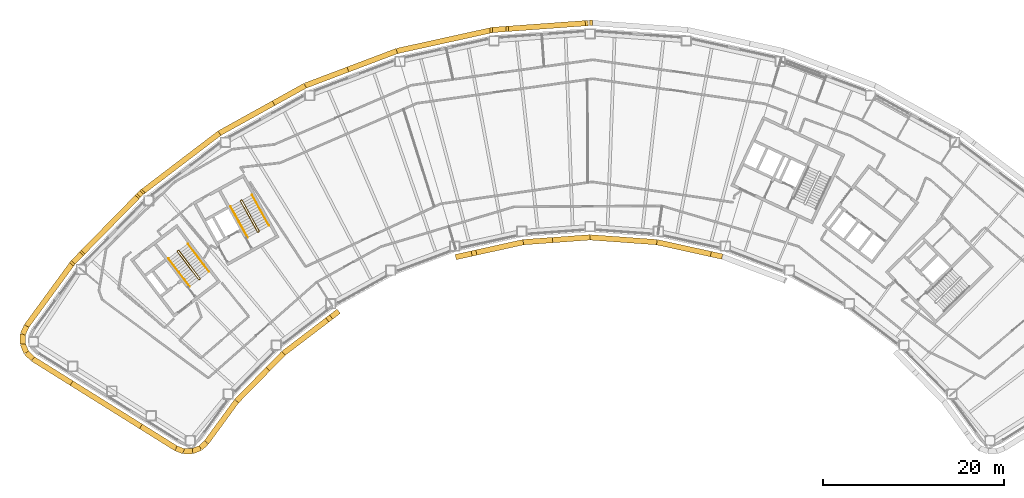
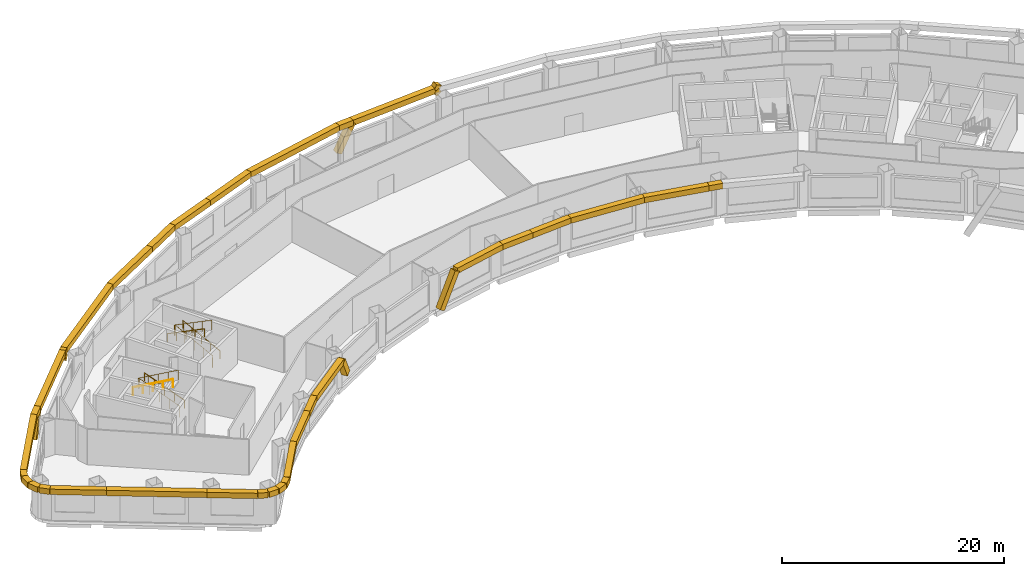
# One storey, part 11 of 12: 40 coverings, 6 railings.
"""IFC4 building model written with IfcOpenShell, lengths in metres."""

from ifc_helpers import new_model, si_unit, direction, frame, origin, origin_2d, place, context, subcontext, project, spatial, rectangle, circle, extrude, material, material_profile, profile_set, type_object, element, save


model = new_model("IFC4")

# Units and contexts
model_context = context("Model", 3, precision=1e-05, world=origin(), true_north=direction((0.0, 1.0)))
body_context = subcontext(model_context, "Body", "Model", "MODEL_VIEW")
ifc_project = project(units=[si_unit("LENGTHUNIT", "METRE"), si_unit("AREAUNIT", "SQUARE_METRE"), si_unit("VOLUMEUNIT", "CUBIC_METRE"), si_unit("PLANEANGLEUNIT", "RADIAN"), si_unit("MASSUNIT", "GRAM", prefix="KILO")], contexts=[model_context])

# Site, building, storey
site_placement = place(None, origin())
site = spatial("IfcSite", under=ifc_project, at=site_placement, CompositionType="ELEMENT")
building_placement = place(site_placement, origin())
building = spatial("IfcBuilding", under=site, at=building_placement, Name="Tuul Gate Civic Tower", CompositionType="ELEMENT")
storey_placement = place(building_placement, frame((0.0, 0.0, 103.5)))
storey = spatial("IfcBuildingStorey", under=building, at=storey_placement, Name="Level 23", CompositionType="ELEMENT", Elevation=103.5)

# Railings
ifc_material_1 = material(Name="Painted steel", Category="steel")
railing_type_1 = type_object("IfcRailingType", Name="Stair guard", PredefinedType="GUARDRAIL", material=ifc_material_1)
railing_1_placement = place(storey_placement, frame((-33.382080078125, -13.515380859375, 0.0)))
element("IfcRailing", 1, at=railing_1_placement, inside=storey, type_object=railing_type_1, Name="Level 23 ST-1 stair guard 1", PredefinedType="GUARDRAIL", context=body_context, shape_type="SweptSolid", body=[
    extrude(circle(Radius=0.02392578125, at=origin_2d()), frame((0.0, 0.0, 1.076171875), z_axis=(-0.795879841968, -0.605454603706, 0.0), x_axis=(0.605454603706, -0.795879841968, 0.0)), (0.0, 0.0, 1.0), 0.10009765625),
    extrude(circle(Radius=0.02392578125, at=origin_2d()), frame((-0.07958984375, -0.060546875, 1.076171875), z_axis=(0.408991890351, 0.599481263939, 0.688002796371), x_axis=(-0.826063974707, 0.563576356576, 0.0)), (0.0, 0.0, 1.0), 0.2177734375),
    extrude(circle(Radius=0.02392578125, at=origin_2d()), frame((0.009521484375, 0.070068359375, 1.22607421875), z_axis=(-0.541810893183, 0.711627203922, 0.44724454012), x_axis=(-0.795637165283, -0.60577347352, 0.0)), (0.0, 0.0, 1.0), 4.3603515625),
    extrude(circle(Radius=0.02392578125, at=origin_2d()), frame((-2.35302734375, 3.173095703125, 3.17626953125), z_axis=(-0.990893089246, 0.134650977284, 0.0), x_axis=(-0.134650977284, -0.990893089246, 0.0)), (0.0, 0.0, 1.0), 0.07080078125),
    extrude(circle(Radius=0.02392578125, at=origin_2d()), frame((-2.423095703125, 3.1826171875, 3.17626953125), z_axis=(-0.793802879778, -0.60817512943, 0.0), x_axis=(0.60817512943, -0.793802879778, 0.0)), (0.0, 0.0, 1.0), 0.099853515625),
    extrude(circle(Radius=0.02392578125, at=origin_2d()), frame((-2.50244140625, 3.121826171875, 3.17626953125), z_axis=(-0.057447065493, -0.422751481959, 0.904423031091), x_axis=(0.990893089246, -0.134650977284, 0.0)), (0.0, 0.0, 1.0), 0.165771484375),
    extrude(circle(Radius=0.02392578125, at=origin_2d()), frame((-2.511962890625, 3.0517578125, 3.326171875), z_axis=(0.541806494602, -0.71163897684, 0.447231136047), x_axis=(0.795644365679, 0.605764016233, 0.0)), (0.0, 0.0, 1.0), 4.360107421875),
    extrude(circle(Radius=0.02099609375, at=origin_2d()), origin(), (0.0, 0.0, 1.0), 1.052001953125),
    extrude(circle(Radius=0.02099609375, at=origin_2d()), frame((-0.07958984375, -0.060546875, 0.0)), (0.0, 0.0, 1.0), 1.052001953125),
    extrude(circle(Radius=0.02099609375, at=origin_2d()), frame((0.009521484375, 0.070068359375, 0.14990234375)), (0.0, 0.0, 1.0), 1.052001953125),
    extrude(circle(Radius=0.02099609375, at=origin_2d()), frame((-0.5810546875, 0.845703125, 0.637451171875)), (0.0, 0.0, 1.0), 1.052001953125),
    extrude(circle(Radius=0.02099609375, at=origin_2d()), frame((-1.171875, 1.62158203125, 1.125)), (0.0, 0.0, 1.0), 1.052001953125),
    extrude(circle(Radius=0.02099609375, at=origin_2d()), frame((-1.762451171875, 2.3974609375, 1.612548828125)), (0.0, 0.0, 1.0), 1.052001953125),
    extrude(circle(Radius=0.02099609375, at=origin_2d()), frame((-2.35302734375, 3.173095703125, 2.10009765625)), (0.0, 0.0, 1.0), 1.052001953125),
    extrude(circle(Radius=0.02099609375, at=origin_2d()), frame((-2.423095703125, 3.1826171875, 2.10009765625)), (0.0, 0.0, 1.0), 1.052001953125),
    extrude(circle(Radius=0.02099609375, at=origin_2d()), frame((-2.50244140625, 3.121826171875, 2.10009765625)), (0.0, 0.0, 1.0), 1.052001953125),
    extrude(circle(Radius=0.02099609375, at=origin_2d()), frame((-2.511962890625, 3.0517578125, 2.25)), (0.0, 0.0, 1.0), 1.052001953125),
    extrude(circle(Radius=0.02099609375, at=origin_2d()), frame((-1.92138671875, 2.276123046875, 2.737548828125)), (0.0, 0.0, 1.0), 1.052001953125),
    extrude(circle(Radius=0.02099609375, at=origin_2d()), frame((-1.330810546875, 1.50048828125, 3.22509765625)), (0.0, 0.0, 1.0), 1.052001953125),
    extrude(circle(Radius=0.02099609375, at=origin_2d()), frame((-0.740234375, 0.724609375, 3.71240234375)), (0.0, 0.0, 1.0), 1.052001953125),
    extrude(circle(Radius=0.02099609375, at=origin_2d()), frame((-0.149658203125, -0.051025390625, 4.199951171875)), (0.0, 0.0, 1.0), 1.052001953125),
])
railing_2_placement = place(storey_placement, frame((-26.857666015625, -8.247314453125, 0.0)))
element("IfcRailing", 2, at=railing_2_placement, inside=storey, type_object=railing_type_1, Name="Level 23 ST-2 stair guard 1", PredefinedType="GUARDRAIL", context=body_context, shape_type="SweptSolid", body=[
    extrude(circle(Radius=0.02392578125, at=origin_2d()), frame((0.0, 0.0, 1.076171875), z_axis=(-0.874616555828, -0.48481530532, 0.0), x_axis=(0.48481530532, -0.874616555828, 0.0)), (0.0, 0.0, 1.0), 0.10009765625),
    extrude(circle(Radius=0.02392578125, at=origin_2d()), frame((-0.087646484375, -0.048583984375, 1.076171875), z_axis=(0.49081399482, 0.534516610797, 0.688036056665), x_axis=(-0.736576986774, 0.676353711126, 0.0)), (0.0, 0.0, 1.0), 0.2177734375),
    extrude(circle(Radius=0.02392578125, at=origin_2d()), frame((0.019287109375, 0.06787109375, 1.22607421875), z_axis=(-0.433539057192, 0.782307594871, 0.447256875739), x_axis=(-0.874667644053, -0.484723129681, 0.0)), (0.0, 0.0, 1.0), 4.3603515625),
    extrude(circle(Radius=0.02392578125, at=origin_2d()), frame((-1.87109375, 3.47900390625, 3.17626953125), z_axis=(-0.961263487578, 0.275631107549, 0.0), x_axis=(-0.275631107549, -0.961263487578, 0.0)), (0.0, 0.0, 1.0), 0.07080078125),
    extrude(circle(Radius=0.02392578125, at=origin_2d()), frame((-1.939208984375, 3.49853515625, 3.17626953125), z_axis=(-0.874042088414, -0.485850211157, 0.0), x_axis=(0.485850211157, -0.874042088414, 0.0)), (0.0, 0.0, 1.0), 0.10009765625),
    extrude(circle(Radius=0.02392578125, at=origin_2d()), frame((-2.026611328125, 3.449951171875, 3.17626953125), z_axis=(-0.117866478395, -0.409586012422, 0.90462522168), x_axis=(0.961000426733, -0.276546885391, 0.0)), (0.0, 0.0, 1.0), 0.165771484375),
    extrude(circle(Radius=0.02392578125, at=origin_2d()), frame((-2.046142578125, 3.382080078125, 3.326171875), z_axis=(0.433595379963, -0.782308193291, 0.447201226726), x_axis=(0.874641102302, 0.484771020343, 0.0)), (0.0, 0.0, 1.0), 4.3603515625),
    extrude(circle(Radius=0.02099609375, at=origin_2d()), origin(), (0.0, 0.0, 1.0), 1.052001953125),
    extrude(circle(Radius=0.02099609375, at=origin_2d()), frame((-0.087646484375, -0.048583984375, 0.0)), (0.0, 0.0, 1.0), 1.052001953125),
    extrude(circle(Radius=0.02099609375, at=origin_2d()), frame((0.019287109375, 0.06787109375, 0.14990234375)), (0.0, 0.0, 1.0), 1.052001953125),
    extrude(circle(Radius=0.02099609375, at=origin_2d()), frame((-0.453369140625, 0.920654296875, 0.637451171875)), (0.0, 0.0, 1.0), 1.052001953125),
    extrude(circle(Radius=0.02099609375, at=origin_2d()), frame((-0.92578125, 1.7734375, 1.125)), (0.0, 0.0, 1.0), 1.052001953125),
    extrude(circle(Radius=0.02099609375, at=origin_2d()), frame((-1.3984375, 2.626220703125, 1.612548828125)), (0.0, 0.0, 1.0), 1.052001953125),
    extrude(circle(Radius=0.02099609375, at=origin_2d()), frame((-1.87109375, 3.47900390625, 2.10009765625)), (0.0, 0.0, 1.0), 1.052001953125),
    extrude(circle(Radius=0.02099609375, at=origin_2d()), frame((-1.939208984375, 3.49853515625, 2.10009765625)), (0.0, 0.0, 1.0), 1.052001953125),
    extrude(circle(Radius=0.02099609375, at=origin_2d()), frame((-2.026611328125, 3.449951171875, 2.10009765625)), (0.0, 0.0, 1.0), 1.052001953125),
    extrude(circle(Radius=0.02099609375, at=origin_2d()), frame((-2.046142578125, 3.382080078125, 2.25)), (0.0, 0.0, 1.0), 1.052001953125),
    extrude(circle(Radius=0.02099609375, at=origin_2d()), frame((-1.573486328125, 2.529296875, 2.737548828125)), (0.0, 0.0, 1.0), 1.052001953125),
    extrude(circle(Radius=0.02099609375, at=origin_2d()), frame((-1.100830078125, 1.676513671875, 3.22509765625)), (0.0, 0.0, 1.0), 1.052001953125),
    extrude(circle(Radius=0.02099609375, at=origin_2d()), frame((-0.628173828125, 0.82373046875, 3.71240234375)), (0.0, 0.0, 1.0), 1.052001953125),
    extrude(circle(Radius=0.02099609375, at=origin_2d()), frame((-0.155517578125, -0.029052734375, 4.199951171875)), (0.0, 0.0, 1.0), 1.052001953125),
])
ifc_material_2 = material(Name="Painted steel", Category="steel")
railing_type_2 = type_object("IfcRailingType", Name="Stair handrail", PredefinedType="HANDRAIL", material=ifc_material_2)
railing_3_placement = place(storey_placement, frame((-32.3779296875, -12.688232421875, 0.14990234375)))
element("IfcRailing", 3, at=railing_3_placement, inside=storey, type_object=railing_type_2, Name="Level 23 ST-1 stair handrail 1", PredefinedType="HANDRAIL", context=body_context, shape_type="SweptSolid", body=[
    extrude(circle(Radius=0.02392578125, at=origin_2d()), frame((0.0, 0.0, 0.8759765625), z_axis=(-0.541810893183, 0.711627203922, 0.44724454012), x_axis=(-0.795637165283, -0.60577347352, 0.0)), (0.0, 0.0, 1.0), 4.3603515625),
    extrude(circle(Radius=0.02099609375, at=origin_2d()), origin(), (0.0, 0.0, 1.0), 0.851806640625),
    extrude(circle(Radius=0.02099609375, at=origin_2d()), frame((-0.590576171875, 0.77587890625, 0.487548828125)), (0.0, 0.0, 1.0), 0.851806640625),
    extrude(circle(Radius=0.02099609375, at=origin_2d()), frame((-1.18115234375, 1.551513671875, 0.97509765625)), (0.0, 0.0, 1.0), 0.851806640625),
    extrude(circle(Radius=0.02099609375, at=origin_2d()), frame((-1.77197265625, 2.3271484375, 1.462646484375)), (0.0, 0.0, 1.0), 0.851806640625),
    extrude(circle(Radius=0.02099609375, at=origin_2d()), frame((-2.362548828125, 3.10302734375, 1.9501953125)), (0.0, 0.0, 1.0), 0.851806640625),
])
railing_4_placement = place(storey_placement, frame((-36.888671875, -11.220703125, 2.25)))
element("IfcRailing", 4, at=railing_4_placement, inside=storey, type_object=railing_type_2, Name="Level 23 ST-1 stair handrail 2", PredefinedType="HANDRAIL", context=body_context, shape_type="SweptSolid", body=[
    extrude(circle(Radius=0.02392578125, at=origin_2d()), frame((0.0, 0.0, 0.8759765625), z_axis=(0.541824460341, -0.711645023348, 0.447199748346), x_axis=(0.795637165283, 0.60577347352, 0.0)), (0.0, 0.0, 1.0), 4.3603515625),
    extrude(circle(Radius=0.02099609375, at=origin_2d()), origin(), (0.0, 0.0, 1.0), 0.851806640625),
    extrude(circle(Radius=0.02099609375, at=origin_2d()), frame((0.590576171875, -0.77587890625, 0.487548828125)), (0.0, 0.0, 1.0), 0.851806640625),
    extrude(circle(Radius=0.02099609375, at=origin_2d()), frame((1.18115234375, -1.551513671875, 0.97509765625)), (0.0, 0.0, 1.0), 0.851806640625),
    extrude(circle(Radius=0.02099609375, at=origin_2d()), frame((1.77197265625, -2.3271484375, 1.46240234375)), (0.0, 0.0, 1.0), 0.851806640625),
    extrude(circle(Radius=0.02099609375, at=origin_2d()), frame((2.362548828125, -3.10302734375, 1.949951171875)), (0.0, 0.0, 1.0), 0.851806640625),
])
railing_5_placement = place(storey_placement, frame((-25.744873046875, -7.573486328125, 0.14990234375)))
element("IfcRailing", 5, at=railing_5_placement, inside=storey, type_object=railing_type_2, Name="Level 23 ST-2 stair handrail 1", PredefinedType="HANDRAIL", context=body_context, shape_type="SweptSolid", body=[
    extrude(circle(Radius=0.02392578125, at=origin_2d()), frame((0.0, 0.0, 0.8759765625), z_axis=(-0.433584522764, 0.782288604346, 0.447246018574), x_axis=(-0.874641102302, -0.484771020343, 0.0)), (0.0, 0.0, 1.0), 4.3603515625),
    extrude(circle(Radius=0.02099609375, at=origin_2d()), origin(), (0.0, 0.0, 1.0), 0.851806640625),
    extrude(circle(Radius=0.02099609375, at=origin_2d()), frame((-0.47265625, 0.852783203125, 0.487548828125)), (0.0, 0.0, 1.0), 0.851806640625),
    extrude(circle(Radius=0.02099609375, at=origin_2d()), frame((-0.9453125, 1.70556640625, 0.97509765625)), (0.0, 0.0, 1.0), 0.851806640625),
    extrude(circle(Radius=0.02099609375, at=origin_2d()), frame((-1.41796875, 2.558349609375, 1.462646484375)), (0.0, 0.0, 1.0), 0.851806640625),
    extrude(circle(Radius=0.02099609375, at=origin_2d()), frame((-1.890625, 3.4111328125, 1.9501953125)), (0.0, 0.0, 1.0), 0.851806640625),
])
railing_6_placement = place(storey_placement, frame((-29.9970703125, -5.47119140625, 2.25)))
element("IfcRailing", 6, at=railing_6_placement, inside=storey, type_object=railing_type_2, Name="Level 23 ST-2 stair handrail 2", PredefinedType="HANDRAIL", context=body_context, shape_type="SweptSolid", body=[
    extrude(circle(Radius=0.02392578125, at=origin_2d()), frame((0.0, 0.0, 0.8759765625), z_axis=(0.433595379963, -0.782308193291, 0.447201226726), x_axis=(0.874641102302, 0.484771020343, 0.0)), (0.0, 0.0, 1.0), 4.3603515625),
    extrude(circle(Radius=0.02099609375, at=origin_2d()), origin(), (0.0, 0.0, 1.0), 0.851806640625),
    extrude(circle(Radius=0.02099609375, at=origin_2d()), frame((0.47265625, -0.852783203125, 0.487548828125)), (0.0, 0.0, 1.0), 0.851806640625),
    extrude(circle(Radius=0.02099609375, at=origin_2d()), frame((0.9453125, -1.70556640625, 0.97509765625)), (0.0, 0.0, 1.0), 0.851806640625),
    extrude(circle(Radius=0.02099609375, at=origin_2d()), frame((1.41796875, -2.558349609375, 1.46240234375)), (0.0, 0.0, 1.0), 0.851806640625),
    extrude(circle(Radius=0.02099609375, at=origin_2d()), frame((1.890625, -3.4111328125, 1.949951171875)), (0.0, 0.0, 1.0), 0.851806640625),
])

# Coverings
ifc_material_3 = material(Name="Terracotta baguette", Category="masonry")
ifc_material_profile = material_profile(ifc_material_3, rectangle(XDim=0.60009765625, YDim=0.60009765625, at=origin_2d()), Name="Terracotta baguette screen frame")
ifc_profile_set = profile_set([ifc_material_profile], Name="Terracotta baguette")
covering_type = type_object("IfcCoveringType", Name="Terracotta baguette screen frame", PredefinedType="CLADDING", material=ifc_profile_set)
covering_1_placement = place(storey_placement, frame((9.8291015625, 14.889892578125, 4.349609375), z_axis=(-0.47426206361, -0.033967999116, -0.879728179642), x_axis=(0.071439843969, -0.997444910105, 0.0)))
element("IfcCovering", 7, at=covering_1_placement, inside=storey, type_object=covering_type, Name="Baguette 70", PredefinedType="CLADDING", context=body_context, shape_type="SweptSolid", body=[
    extrude(rectangle(XDim=0.60009765625, YDim=0.60009765625, at=origin_2d()), origin(), (0.0, 0.0, 1.0), 0.56787109375),
])
covering_2_placement = place(storey_placement, frame((9.559814453125, 14.87060546875, 3.85009765625), z_axis=(0.474082726777, 0.033955154502, -0.879825332469), x_axis=(-0.071439843969, 0.997444910105, 0.0)))
element("IfcCovering", 8, at=covering_2_placement, inside=storey, type_object=covering_type, Name="Baguette 73", PredefinedType="CLADDING", context=body_context, shape_type="SweptSolid", body=[
    extrude(rectangle(XDim=0.60009765625, YDim=0.60009765625, at=origin_2d()), origin(), (0.0, 0.0, 1.0), 0.568115234375),
])
covering_3_placement = place(storey_placement, frame((9.559814453125, 14.87060546875, 3.85009765625), z_axis=(-0.997380380277, -0.072335171524, 0.0), x_axis=(0.072335171524, -0.997380380277, 0.0)))
element("IfcCovering", 9, at=covering_3_placement, inside=storey, type_object=covering_type, Name="Baguette 75", PredefinedType="CLADDING", context=body_context, shape_type="SweptSolid", body=[
    extrude(rectangle(XDim=0.60009765625, YDim=0.60009765625, at=origin_2d()), origin(), (0.0, 0.0, 1.0), 9.072265625),
])
covering_4_placement = place(storey_placement, frame((0.51123046875, 14.21435546875, 3.85009765625), z_axis=(-0.473915008994, -0.034427424036, -0.879897333059), x_axis=(0.07245379487, -0.997371770008, 0.0)))
element("IfcCovering", 10, at=covering_4_placement, inside=storey, type_object=covering_type, Name="Baguette 79", PredefinedType="CLADDING", context=body_context, shape_type="SweptSolid", body=[
    extrude(rectangle(XDim=0.60009765625, YDim=0.60009765625, at=origin_2d()), origin(), (0.0, 0.0, 1.0), 3.177001953125),
])
covering_5_placement = place(storey_placement, frame((-17.001708984375, 9.72412109375, 3.85009765625), z_axis=(-0.9353892354, -0.353619821697, 0.0), x_axis=(0.353619821697, -0.9353892354, 0.0)))
element("IfcCovering", 11, at=covering_5_placement, inside=storey, type_object=covering_type, Name="Baguette 96", PredefinedType="CLADDING", context=body_context, shape_type="SweptSolid", body=[
    extrude(rectangle(XDim=0.60009765625, YDim=0.60009765625, at=origin_2d()), origin(), (0.0, 0.0, 1.0), 5.06689453125),
])
covering_6_placement = place(storey_placement, frame((-21.7412109375, 7.932373046875, 3.85009765625), z_axis=(-0.874588189659, -0.484866474928, 0.0), x_axis=(0.484866474928, -0.874588189659, 0.0)))
element("IfcCovering", 12, at=covering_6_placement, inside=storey, type_object=covering_type, Name="Baguette 97", PredefinedType="CLADDING", context=body_context, shape_type="SweptSolid", body=[
    extrude(rectangle(XDim=0.60009765625, YDim=0.60009765625, at=origin_2d()), origin(), (0.0, 0.0, 1.0), 4.005615234375),
])
covering_7_placement = place(storey_placement, frame((-40.178466796875, -4.222412109375, 3.85009765625), z_axis=(0.332612538117, 0.339337208405, -0.879897243136), x_axis=(-0.71414753099, 0.699995217113, 0.0)))
element("IfcCovering", 13, at=covering_7_placement, inside=storey, type_object=covering_type, Name="Baguette 115", PredefinedType="CLADDING", context=body_context, shape_type="SweptSolid", body=[
    extrude(rectangle(XDim=0.60009765625, YDim=0.60009765625, at=origin_2d()), origin(), (0.0, 0.0, 1.0), 0.94384765625),
])
covering_8_placement = place(storey_placement, frame((-40.178466796875, -4.222412109375, 3.85009765625), z_axis=(-0.700007644137, -0.714135350021, 0.0), x_axis=(0.714135350021, -0.700007644137, 0.0)))
element("IfcCovering", 14, at=covering_8_placement, inside=storey, type_object=covering_type, Name="Baguette 117", PredefinedType="CLADDING", context=body_context, shape_type="SweptSolid", body=[
    extrude(rectangle(XDim=0.60009765625, YDim=0.60009765625, at=origin_2d()), origin(), (0.0, 0.0, 1.0), 9.072509765625),
])
covering_9_placement = place(storey_placement, frame((-46.529296875, -10.701416015625, 3.85009765625), z_axis=(-0.332584778484, -0.339384676969, -0.879889428371), x_axis=(0.714225678888, -0.699915480338, 0.0)))
element("IfcCovering", 15, at=covering_9_placement, inside=storey, type_object=covering_type, Name="Baguette 121", PredefinedType="CLADDING", context=body_context, shape_type="SweptSolid", body=[
    extrude(rectangle(XDim=0.60009765625, YDim=0.60009765625, at=origin_2d()), origin(), (0.0, 0.0, 1.0), 2.800537109375),
])
covering_10_placement = place(storey_placement, frame((-47.6162109375, -25.023681640625, 3.85009765625), z_axis=(0.848051326016, -0.529914095342, 0.0), x_axis=(0.529914095342, 0.848051326016, 0.0)))
element("IfcCovering", 16, at=covering_10_placement, inside=storey, type_object=covering_type, Name="Baguette 150", PredefinedType="CLADDING", context=body_context, shape_type="SweptSolid", body=[
    extrude(rectangle(XDim=0.60009765625, YDim=0.60009765625, at=origin_2d()), origin(), (0.0, 0.0, 1.0), 9.052978515625),
])
covering_11_placement = place(storey_placement, frame((-25.87841796875, -23.490478515625, 3.85009765625), z_axis=(0.700086167254, 0.714058371857, 0.0), x_axis=(-0.714058371857, 0.700086167254, 0.0)))
element("IfcCovering", 17, at=covering_11_placement, inside=storey, type_object=covering_type, Name="Baguette 181", PredefinedType="CLADDING", context=body_context, shape_type="SweptSolid", body=[
    extrude(rectangle(XDim=0.60009765625, YDim=0.60009765625, at=origin_2d()), origin(), (0.0, 0.0, 1.0), 2.481201171875),
])
covering_12_placement = place(storey_placement, frame((-24.141357421875, -21.71875, 3.85009765625), z_axis=(0.795563656238, 0.605870009881, 0.0), x_axis=(-0.605870009881, 0.795563656238, 0.0)))
element("IfcCovering", 18, at=covering_12_placement, inside=storey, type_object=covering_type, Name="Baguette 182", PredefinedType="CLADDING", context=body_context, shape_type="SweptSolid", body=[
    extrude(rectangle(XDim=0.60009765625, YDim=0.60009765625, at=origin_2d()), origin(), (0.0, 0.0, 1.0), 6.370849609375),
])
covering_13_placement = place(storey_placement, frame((-19.072998046875, -17.85888671875, 3.85009765625), z_axis=(0.370809924554, 0.282345892143, -0.884749002284), x_axis=(-0.605804319563, 0.795613679118, 0.0)))
element("IfcCovering", 19, at=covering_13_placement, inside=storey, type_object=covering_type, Name="Baguette 186", PredefinedType="CLADDING", context=body_context, shape_type="SweptSolid", body=[
    extrude(rectangle(XDim=0.60009765625, YDim=0.60009765625, at=origin_2d()), origin(), (0.0, 0.0, 1.0), 2.246337890625),
])
covering_14_placement = place(storey_placement, frame((-3.035400390625, -10.61279296875, 3.85009765625), z_axis=(-0.45520337994, -0.100315999561, -0.884718363731), x_axis=(0.215212210255, -0.976567306721, 0.0)))
element("IfcCovering", 20, at=covering_14_placement, inside=storey, type_object=covering_type, Name="Baguette 204", PredefinedType="CLADDING", context=body_context, shape_type="SweptSolid", body=[
    extrude(rectangle(XDim=0.60009765625, YDim=0.60009765625, at=origin_2d()), origin(), (0.0, 0.0, 1.0), 3.906005859375),
])
covering_15_placement = place(storey_placement, frame((-3.035400390625, -10.61279296875, 3.85009765625), z_axis=(0.976565315313, 0.21522124646, 0.0), x_axis=(-0.21522124646, 0.976565315313, 0.0)))
element("IfcCovering", 21, at=covering_15_placement, inside=storey, type_object=covering_type, Name="Baguette 206", PredefinedType="CLADDING", context=body_context, shape_type="SweptSolid", body=[
    extrude(rectangle(XDim=0.60009765625, YDim=0.60009765625, at=origin_2d()), origin(), (0.0, 0.0, 1.0), 5.596923828125),
])
covering_16_placement = place(storey_placement, frame((2.430419921875, -9.408203125, 3.85009765625), z_axis=(0.997393564609, 0.072153151538, 0.0), x_axis=(-0.072153151538, 0.997393564609, 0.0)))
element("IfcCovering", 22, at=covering_16_placement, inside=storey, type_object=covering_type, Name="Baguette 207", PredefinedType="CLADDING", context=body_context, shape_type="SweptSolid", body=[
    extrude(rectangle(XDim=0.60009765625, YDim=0.60009765625, at=origin_2d()), origin(), (0.0, 0.0, 1.0), 3.255126953125),
])
covering_17_placement = place(storey_placement, frame((23.20703125, -10.72607421875, 3.85009765625), z_axis=(0.976580321069, -0.215153146619, 0.0), x_axis=(0.215153146619, 0.976580321069, 0.0)))
element("IfcCovering", 23, at=covering_17_placement, inside=storey, type_object=covering_type, Name="Baguette 229", PredefinedType="CLADDING", context=body_context, shape_type="SweptSolid", body=[
    extrude(rectangle(XDim=0.60009765625, YDim=0.60009765625, at=origin_2d()), origin(), (0.0, 0.0, 1.0), 1.294677734375),
])
covering_18_placement = place(storey_placement, frame((0.51123046875, 14.21435546875, 3.85009765625), z_axis=(-0.997371770008, -0.07245379487, 0.0), x_axis=(0.07245379487, -0.997371770008, 0.0)))
element("IfcCovering", 24, at=covering_18_placement, inside=storey, type_object=covering_type, Name="Baguette 315", PredefinedType="CLADDING", context=body_context, shape_type="SweptSolid", body=[
    extrude(rectangle(XDim=0.60009765625, YDim=0.60009765625, at=origin_2d()), origin(), (0.0, 0.0, 1.0), 1.509521484375),
])
covering_19_placement = place(storey_placement, frame((-0.994384765625, 14.10498046875, 3.85009765625), z_axis=(-0.976565170403, -0.215221903986, 0.0), x_axis=(0.215221903986, -0.976565170403, 0.0)))
element("IfcCovering", 25, at=covering_19_placement, inside=storey, type_object=covering_type, Name="Baguette 316", PredefinedType="CLADDING", context=body_context, shape_type="SweptSolid", body=[
    extrude(rectangle(XDim=0.60009765625, YDim=0.60009765625, at=origin_2d()), origin(), (0.0, 0.0, 1.0), 10.850341796875),
])
covering_20_placement = place(storey_placement, frame((-11.59033203125, 11.769775390625, 3.85009765625), z_axis=(-0.93539456207, -0.353605731359, 0.0), x_axis=(0.353605731359, -0.93539456207, 0.0)))
element("IfcCovering", 26, at=covering_20_placement, inside=storey, type_object=covering_type, Name="Baguette 317", PredefinedType="CLADDING", context=body_context, shape_type="SweptSolid", body=[
    extrude(rectangle(XDim=0.60009765625, YDim=0.60009765625, at=origin_2d()), origin(), (0.0, 0.0, 1.0), 5.78515625),
])
covering_21_placement = place(storey_placement, frame((-25.244384765625, 5.990234375, 3.85009765625), z_axis=(-0.874616176684, -0.484815989302, 0.0), x_axis=(0.484815989302, -0.874616176684, 0.0)))
element("IfcCovering", 27, at=covering_21_placement, inside=storey, type_object=covering_type, Name="Baguette 323", PredefinedType="CLADDING", context=body_context, shape_type="SweptSolid", body=[
    extrude(rectangle(XDim=0.60009765625, YDim=0.60009765625, at=origin_2d()), origin(), (0.0, 0.0, 1.0), 6.844970703125),
])
covering_22_placement = place(storey_placement, frame((-31.231201171875, 2.671630859375, 3.85009765625), z_axis=(-0.79561038643, -0.605808643884, 0.0), x_axis=(0.605808643884, -0.79561038643, 0.0)))
element("IfcCovering", 28, at=covering_22_placement, inside=storey, type_object=covering_type, Name="Baguette 324", PredefinedType="CLADDING", context=body_context, shape_type="SweptSolid", body=[
    extrude(rectangle(XDim=0.60009765625, YDim=0.60009765625, at=origin_2d()), origin(), (0.0, 0.0, 1.0), 10.85107421875),
])
covering_23_placement = place(storey_placement, frame((-39.864501953125, -3.902099609375, 3.85009765625), z_axis=(-0.699995217113, -0.71414753099, 0.0), x_axis=(0.71414753099, -0.699995217113, 0.0)))
element("IfcCovering", 29, at=covering_23_placement, inside=storey, type_object=covering_type, Name="Baguette 325", PredefinedType="CLADDING", context=body_context, shape_type="SweptSolid", body=[
    extrude(rectangle(XDim=0.60009765625, YDim=0.60009765625, at=origin_2d()), origin(), (0.0, 0.0, 1.0), 0.448486328125),
])
covering_24_placement = place(storey_placement, frame((-46.529296875, -10.701416015625, 3.85009765625), z_axis=(-0.699915480338, -0.714225678888, 0.0), x_axis=(0.714225678888, -0.699915480338, 0.0)))
element("IfcCovering", 30, at=covering_24_placement, inside=storey, type_object=covering_type, Name="Baguette 326", PredefinedType="CLADDING", context=body_context, shape_type="SweptSolid", body=[
    extrude(rectangle(XDim=0.60009765625, YDim=0.60009765625, at=origin_2d()), origin(), (0.0, 0.0, 1.0), 1.330810546875),
])
covering_25_placement = place(storey_placement, frame((-47.460693359375, -11.65185546875, 3.85009765625), z_axis=(-0.589877128824, -0.80749301724, 0.0), x_axis=(0.80749301724, -0.589877128824, 0.0)))
element("IfcCovering", 31, at=covering_25_placement, inside=storey, type_object=covering_type, Name="Baguette 327", PredefinedType="CLADDING", context=body_context, shape_type="SweptSolid", body=[
    extrude(rectangle(XDim=0.60009765625, YDim=0.60009765625, at=origin_2d()), origin(), (0.0, 0.0, 1.0), 8.735107421875),
])
covering_26_placement = place(storey_placement, frame((-52.61328125, -18.705322265625, 3.85009765625), z_axis=(-0.411904289645, -0.911227115582, 0.0), x_axis=(0.911227115582, -0.411904289645, 0.0)))
element("IfcCovering", 32, at=covering_26_placement, inside=storey, type_object=covering_type, Name="Baguette 328", PredefinedType="CLADDING", context=body_context, shape_type="SweptSolid", body=[
    extrude(rectangle(XDim=0.60009765625, YDim=0.60009765625, at=origin_2d()), origin(), (0.0, 0.0, 1.0), 0.988525390625),
])
covering_27_placement = place(storey_placement, frame((-53.0205078125, -19.606201171875, 3.85009765625), z_axis=(-0.014657151856, -0.99989257818, 0.0), x_axis=(0.99989257818, -0.014657151856, 0.0)))
element("IfcCovering", 33, at=covering_27_placement, inside=storey, type_object=covering_type, Name="Baguette 329", PredefinedType="CLADDING", context=body_context, shape_type="SweptSolid", body=[
    extrude(rectangle(XDim=0.60009765625, YDim=0.60009765625, at=origin_2d()), origin(), (0.0, 0.0, 1.0), 1.06591796875),
])
covering_28_placement = place(storey_placement, frame((-53.0361328125, -20.672119140625, 3.85009765625), z_axis=(0.385590096332, -0.922670188968, 0.0), x_axis=(0.922670188968, 0.385590096332, 0.0)))
element("IfcCovering", 34, at=covering_28_placement, inside=storey, type_object=covering_type, Name="Baguette 330", PredefinedType="CLADDING", context=body_context, shape_type="SweptSolid", body=[
    extrude(rectangle(XDim=0.60009765625, YDim=0.60009765625, at=origin_2d()), origin(), (0.0, 0.0, 1.0), 1.06689453125),
])
covering_29_placement = place(storey_placement, frame((-52.624755859375, -21.656494140625, 3.85009765625), z_axis=(0.722255502574, -0.691626336255, 0.0), x_axis=(0.691626336255, 0.722255502574, 0.0)))
element("IfcCovering", 35, at=covering_29_placement, inside=storey, type_object=covering_type, Name="Baguette 331", PredefinedType="CLADDING", context=body_context, shape_type="SweptSolid", body=[
    extrude(rectangle(XDim=0.60009765625, YDim=0.60009765625, at=origin_2d()), origin(), (0.0, 0.0, 1.0), 0.98828125),
])
covering_30_placement = place(storey_placement, frame((-51.910888671875, -22.340087890625, 3.85009765625), z_axis=(0.848049759371, -0.529916602524, 0.0), x_axis=(0.529916602524, 0.848049759371, 0.0)))
element("IfcCovering", 36, at=covering_30_placement, inside=storey, type_object=covering_type, Name="Baguette 332", PredefinedType="CLADDING", context=body_context, shape_type="SweptSolid", body=[
    extrude(rectangle(XDim=0.60009765625, YDim=0.60009765625, at=origin_2d()), origin(), (0.0, 0.0, 1.0), 5.064208984375),
])
covering_31_placement = place(storey_placement, frame((-39.938720703125, -29.821044921875, 3.85009765625), z_axis=(0.84806120414, -0.529898286497, 0.0), x_axis=(0.529898286497, 0.84806120414, 0.0)))
element("IfcCovering", 37, at=covering_31_placement, inside=storey, type_object=covering_type, Name="Baguette 333", PredefinedType="CLADDING", context=body_context, shape_type="SweptSolid", body=[
    extrude(rectangle(XDim=0.60009765625, YDim=0.60009765625, at=origin_2d()), origin(), (0.0, 0.0, 1.0), 4.578857421875),
])
covering_32_placement = place(storey_placement, frame((-36.0556640625, -32.247314453125, 3.85009765625), z_axis=(0.931801188997, -0.362969067807, 0.0), x_axis=(0.362969067807, 0.931801188997, 0.0)))
element("IfcCovering", 38, at=covering_32_placement, inside=storey, type_object=covering_type, Name="Baguette 334", PredefinedType="CLADDING", context=body_context, shape_type="SweptSolid", body=[
    extrude(rectangle(XDim=0.60009765625, YDim=0.60009765625, at=origin_2d()), origin(), (0.0, 0.0, 1.0), 0.9013671875),
])
covering_33_placement = place(storey_placement, frame((-35.2158203125, -32.574462890625, 3.85009765625), z_axis=(0.99999546609, 0.003011278693, 0.0), x_axis=(-0.003011278693, 0.99999546609, 0.0)))
element("IfcCovering", 39, at=covering_33_placement, inside=storey, type_object=covering_type, Name="Baguette 335", PredefinedType="CLADDING", context=body_context, shape_type="SweptSolid", body=[
    extrude(rectangle(XDim=0.60009765625, YDim=0.60009765625, at=origin_2d()), origin(), (0.0, 0.0, 1.0), 0.972900390625),
])
covering_34_placement = place(storey_placement, frame((-34.242919921875, -32.571533203125, 3.85009765625), z_axis=(0.929715491451, 0.368278569775, 0.0), x_axis=(-0.368278569775, 0.929715491451, 0.0)))
element("IfcCovering", 40, at=covering_34_placement, inside=storey, type_object=covering_type, Name="Baguette 336", PredefinedType="CLADDING", context=body_context, shape_type="SweptSolid", body=[
    extrude(rectangle(XDim=0.60009765625, YDim=0.60009765625, at=origin_2d()), origin(), (0.0, 0.0, 1.0), 0.974609375),
])
covering_35_placement = place(storey_placement, frame((-33.3369140625, -32.212646484375, 3.85009765625), z_axis=(0.729233015542, 0.684265452177, 0.0), x_axis=(-0.684265452177, 0.729233015542, 0.0)))
element("IfcCovering", 41, at=covering_35_placement, inside=storey, type_object=covering_type, Name="Baguette 337", PredefinedType="CLADDING", context=body_context, shape_type="SweptSolid", body=[
    extrude(rectangle(XDim=0.60009765625, YDim=0.60009765625, at=origin_2d()), origin(), (0.0, 0.0, 1.0), 0.9013671875),
])
covering_36_placement = place(storey_placement, frame((-32.6796875, -31.595947265625, 3.85009765625), z_axis=(0.589834173265, 0.807524394708, 0.0), x_axis=(-0.807524394708, 0.589834173265, 0.0)))
element("IfcCovering", 42, at=covering_36_placement, inside=storey, type_object=covering_type, Name="Baguette 338", PredefinedType="CLADDING", context=body_context, shape_type="SweptSolid", body=[
    extrude(rectangle(XDim=0.60009765625, YDim=0.60009765625, at=origin_2d()), origin(), (0.0, 0.0, 1.0), 5.67138671875),
])
covering_37_placement = place(storey_placement, frame((-29.33447265625, -27.01611328125, 3.85009765625), z_axis=(0.700024934843, 0.714118400966, 0.0), x_axis=(-0.714118400966, 0.700024934843, 0.0)))
element("IfcCovering", 43, at=covering_37_placement, inside=storey, type_object=covering_type, Name="Baguette 339", PredefinedType="CLADDING", context=body_context, shape_type="SweptSolid", body=[
    extrude(rectangle(XDim=0.60009765625, YDim=0.60009765625, at=origin_2d()), origin(), (0.0, 0.0, 1.0), 4.93701171875),
])
covering_38_placement = place(storey_placement, frame((5.677001953125, -9.17333984375, 3.85009765625), z_axis=(0.997394895517, 0.07213475166, 0.0), x_axis=(-0.07213475166, 0.997394895517, 0.0)))
element("IfcCovering", 44, at=covering_38_placement, inside=storey, type_object=covering_type, Name="Baguette 354", PredefinedType="CLADDING", context=body_context, shape_type="SweptSolid", body=[
    extrude(rectangle(XDim=0.60009765625, YDim=0.60009765625, at=origin_2d()), origin(), (0.0, 0.0, 1.0), 4.162841796875),
])
covering_39_placement = place(storey_placement, frame((9.8291015625, -8.873046875, 3.85009765625), z_axis=(0.997394311548, -0.072142825637, 0.0), x_axis=(0.072142825637, 0.997394311548, 0.0)))
element("IfcCovering", 45, at=covering_39_placement, inside=storey, type_object=covering_type, Name="Baguette 355", PredefinedType="CLADDING", context=body_context, shape_type="SweptSolid", body=[
    extrude(rectangle(XDim=0.60009765625, YDim=0.60009765625, at=origin_2d()), origin(), (0.0, 0.0, 1.0), 7.41796875),
])
covering_40_placement = place(storey_placement, frame((17.227783203125, -9.408203125, 3.85009765625), z_axis=(0.976560886687, -0.215241340343, 0.0), x_axis=(0.215241340343, 0.976560886687, 0.0)))
element("IfcCovering", 46, at=covering_40_placement, inside=storey, type_object=covering_type, Name="Baguette 356", PredefinedType="CLADDING", context=body_context, shape_type="SweptSolid", body=[
    extrude(rectangle(XDim=0.60009765625, YDim=0.60009765625, at=origin_2d()), origin(), (0.0, 0.0, 1.0), 6.122802734375),
])

save(model, "model.ifc")
